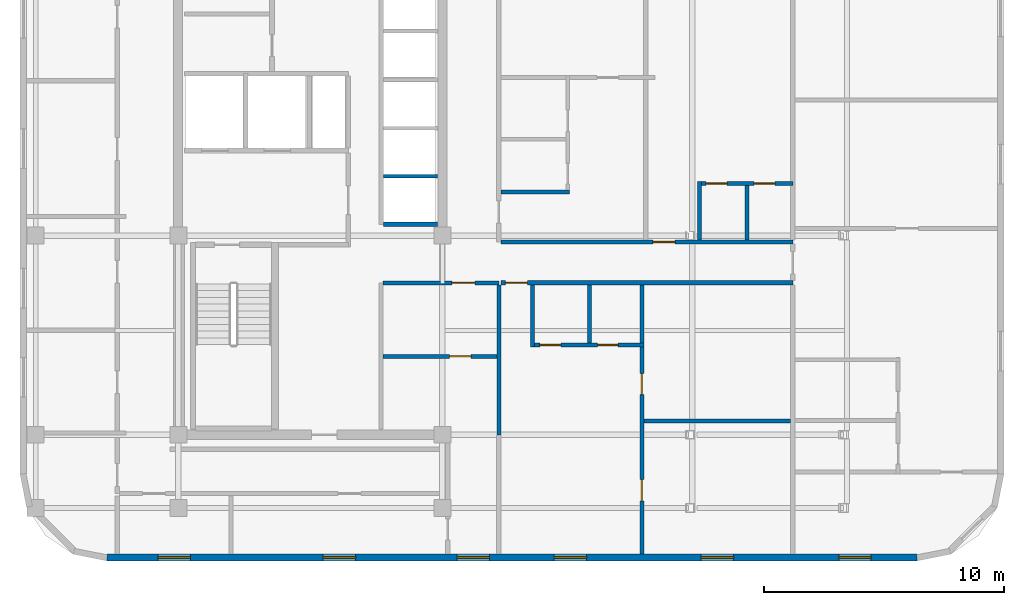
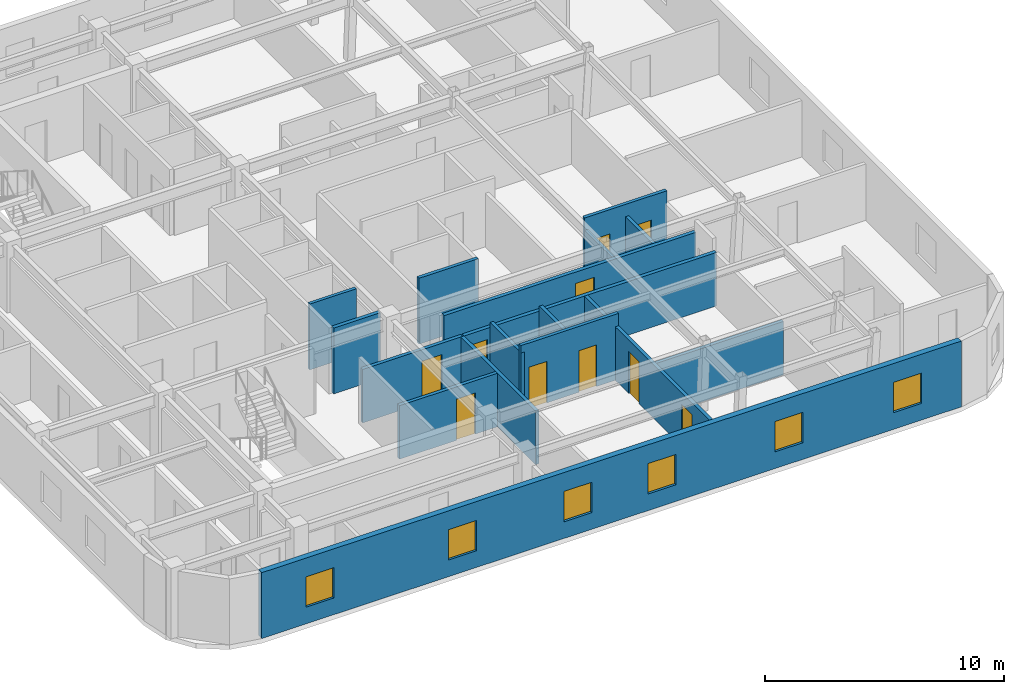
# One storey, part 3 of 8: 17 walls, 10 doors, 6 windows, 16 openings.
"""IFC4 building model written with IfcOpenShell, lengths in metres."""

from ifc_helpers import new_model, si_unit, direction, frame, frame_2d, origin, place, context, subcontext, project, spatial, rectangle, extrude, material, layer, layer_set, type_object, element, fill, save


model = new_model("IFC4")

# Units and contexts
model_context = context("Model", 3, precision=1e-05, world=origin(), true_north=direction((0.0, 1.0)))
body_context = subcontext(model_context, "Body", "Model", "MODEL_VIEW")
ifc_project = project(units=[si_unit("LENGTHUNIT", "METRE"), si_unit("AREAUNIT", "SQUARE_METRE"), si_unit("VOLUMEUNIT", "CUBIC_METRE"), si_unit("PLANEANGLEUNIT", "RADIAN"), si_unit("MASSUNIT", "GRAM", prefix="KILO")], contexts=[model_context])

# Site, building, storey
site_placement = place(None, origin())
site = spatial("IfcSite", under=ifc_project, at=site_placement, CompositionType="ELEMENT")
building_placement = place(site_placement, origin())
building = spatial("IfcBuilding", under=site, at=building_placement, Name="Ochreholt Gables", CompositionType="ELEMENT")
storey_placement = place(building_placement, frame((0.0, 0.0, 159.0)))
storey = spatial("IfcBuildingStorey", under=building, at=storey_placement, Name="L41", CompositionType="ELEMENT", Elevation=159.0)

# Wall, openings, windows
ifc_material_1 = material(Name="Precast concrete 40 MPa", Category="concrete")
ifc_layer_1 = layer(ifc_material_1, 0.280029296875, Name="Precast concrete 40 MPa")
ifc_layer_set_1 = layer_set([ifc_layer_1], Name="Precast concrete 40 MPa")
wall_type_1 = type_object("IfcWallType", Name="WALL-EXT-280", PredefinedType="SOLIDWALL", material=ifc_layer_set_1)
wall_1_placement = place(storey_placement, frame((21.219970703125, 4.139892578125, 0.0), z_axis=(0.0, 0.0, 1.0), x_axis=(1.0, 0.0, 0.0)))
wall_1 = element("IfcWall", 1, at=wall_1_placement, inside=storey, type_object=wall_type_1, Name="L41 South Exterior Wall", PredefinedType="SOLIDWALL", context=body_context, shape_type="SweptSolid", body=[
    extrude(rectangle(XDim=33.760009765625, YDim=0.280029296875, at=frame_2d((16.8798828125, 0.0))), origin(), (0.0, 0.0, 1.0), 3.360107421875),
])
opening_1_placement = place(wall_1_placement, frame((2.1298828125, 0.0, 0.85009765625)))
opening_1 = element("IfcOpeningElement", 2, at=opening_1_placement, cuts=wall_1, Name="Opening WN-8", PredefinedType="OPENING", context=body_context, shape_type="SweptSolid", body=[
    extrude(rectangle(XDim=1.35009765625, YDim=1.550048828125, at=frame_2d((0.675048828125, 0.77490234375))), frame((0.0, 0.14990234375, 0.0), z_axis=(0.0, -1.0, 0.0), x_axis=(1.0, 0.0, 0.0)), (0.0, 0.0, 1.0), 0.300048828125),
])
opening_2_placement = place(wall_1_placement, frame((9.014892578125, 0.0, 0.85009765625)))
opening_2 = element("IfcOpeningElement", 3, at=opening_2_placement, cuts=wall_1, Name="Opening WN-8", PredefinedType="OPENING", context=body_context, shape_type="SweptSolid", body=[
    extrude(rectangle(XDim=1.35009765625, YDim=1.550048828125, at=frame_2d((0.675048828125, 0.77490234375))), frame((0.0, 0.14990234375, 0.0), z_axis=(0.0, -1.0, 0.0), x_axis=(1.0, 0.0, 0.0)), (0.0, 0.0, 1.0), 0.300048828125),
])
opening_3_placement = place(wall_1_placement, frame((14.590087890625, 0.0, 0.85009765625)))
opening_3 = element("IfcOpeningElement", 4, at=opening_3_placement, cuts=wall_1, Name="Opening WN-8", PredefinedType="OPENING", context=body_context, shape_type="SweptSolid", body=[
    extrude(rectangle(XDim=1.35009765625, YDim=1.550048828125, at=frame_2d((0.675048828125, 0.77490234375))), frame((0.0, 0.14990234375, 0.0), z_axis=(0.0, -1.0, 0.0), x_axis=(1.0, 0.0, 0.0)), (0.0, 0.0, 1.0), 0.300048828125),
])
opening_4_placement = place(wall_1_placement, frame((18.635009765625, 0.0, 0.85009765625)))
opening_4 = element("IfcOpeningElement", 5, at=opening_4_placement, cuts=wall_1, Name="Opening WN-8", PredefinedType="OPENING", context=body_context, shape_type="SweptSolid", body=[
    extrude(rectangle(XDim=1.35009765625, YDim=1.550048828125, at=frame_2d((0.675048828125, 0.77490234375))), frame((0.0, 0.14990234375, 0.0), z_axis=(0.0, -1.0, 0.0), x_axis=(1.0, 0.0, 0.0)), (0.0, 0.0, 1.0), 0.300048828125),
])
opening_5_placement = place(wall_1_placement, frame((24.760009765625, 0.0, 0.85009765625)))
opening_5 = element("IfcOpeningElement", 6, at=opening_5_placement, cuts=wall_1, Name="Opening WN-8", PredefinedType="OPENING", context=body_context, shape_type="SweptSolid", body=[
    extrude(rectangle(XDim=1.35009765625, YDim=1.550048828125, at=frame_2d((0.675048828125, 0.77490234375))), frame((0.0, 0.14990234375, 0.0), z_axis=(0.0, -1.0, 0.0), x_axis=(1.0, 0.0, 0.0)), (0.0, 0.0, 1.0), 0.300048828125),
])
opening_6_placement = place(wall_1_placement, frame((30.4951171875, 0.0, 0.85009765625)))
opening_6 = element("IfcOpeningElement", 7, at=opening_6_placement, cuts=wall_1, Name="Opening WN-8", PredefinedType="OPENING", context=body_context, shape_type="SweptSolid", body=[
    extrude(rectangle(XDim=1.35009765625, YDim=1.550048828125, at=frame_2d((0.675048828125, 0.77490234375))), frame((0.0, 0.14990234375, 0.0), z_axis=(0.0, -1.0, 0.0), x_axis=(1.0, 0.0, 0.0)), (0.0, 0.0, 1.0), 0.300048828125),
])
ifc_material_2 = material(Name="Triple-Glazed Thermally Broken Aluminium Window", Category="aluminium")
window_type = type_object("IfcWindowType", Name="WIN-RES-1350", PartitioningType="SINGLE_PANEL", PredefinedType="WINDOW", material=ifc_material_2)
window_1_placement = place(opening_1_placement, origin())
window_1 = element("IfcWindow", 8, at=window_1_placement, inside=storey, type_object=window_type, Name="L41 Window W-EXT-S-L41-1", OverallHeight=1.550048828125, OverallWidth=1.35009765625, PartitioningType="SINGLE_PANEL", PredefinedType="WINDOW", context=body_context, shape_type="SweptSolid", body=[
    extrude(rectangle(XDim=1.35009765625, YDim=1.550048828125, at=frame_2d((0.675048828125, 0.77490234375))), frame((0.0, 0.030029296875, 0.0), z_axis=(0.0, -1.0, 0.0), x_axis=(1.0, 0.0, 0.0)), (0.0, 0.0, 1.0), 0.06005859375),
])
fill(opening_1, window_1)
window_2_placement = place(opening_2_placement, origin())
window_2 = element("IfcWindow", 9, at=window_2_placement, inside=storey, type_object=window_type, Name="L41 Window W-EXT-S-L41-2", OverallHeight=1.550048828125, OverallWidth=1.35009765625, PartitioningType="SINGLE_PANEL", PredefinedType="WINDOW", context=body_context, shape_type="SweptSolid", body=[
    extrude(rectangle(XDim=1.35009765625, YDim=1.550048828125, at=frame_2d((0.675048828125, 0.77490234375))), frame((0.0, 0.030029296875, 0.0), z_axis=(0.0, -1.0, 0.0), x_axis=(1.0, 0.0, 0.0)), (0.0, 0.0, 1.0), 0.06005859375),
])
fill(opening_2, window_2)
window_3_placement = place(opening_3_placement, origin())
window_3 = element("IfcWindow", 10, at=window_3_placement, inside=storey, type_object=window_type, Name="L41 Window W-EXT-S-L41-3", OverallHeight=1.550048828125, OverallWidth=1.35009765625, PartitioningType="SINGLE_PANEL", PredefinedType="WINDOW", context=body_context, shape_type="SweptSolid", body=[
    extrude(rectangle(XDim=1.35009765625, YDim=1.550048828125, at=frame_2d((0.675048828125, 0.77490234375))), frame((0.0, 0.030029296875, 0.0), z_axis=(0.0, -1.0, 0.0), x_axis=(1.0, 0.0, 0.0)), (0.0, 0.0, 1.0), 0.06005859375),
])
fill(opening_3, window_3)
window_4_placement = place(opening_4_placement, origin())
window_4 = element("IfcWindow", 11, at=window_4_placement, inside=storey, type_object=window_type, Name="L41 Window W-EXT-S-L41-4", OverallHeight=1.550048828125, OverallWidth=1.35009765625, PartitioningType="SINGLE_PANEL", PredefinedType="WINDOW", context=body_context, shape_type="SweptSolid", body=[
    extrude(rectangle(XDim=1.35009765625, YDim=1.550048828125, at=frame_2d((0.675048828125, 0.77490234375))), frame((0.0, 0.030029296875, 0.0), z_axis=(0.0, -1.0, 0.0), x_axis=(1.0, 0.0, 0.0)), (0.0, 0.0, 1.0), 0.06005859375),
])
fill(opening_4, window_4)
window_5_placement = place(opening_5_placement, origin())
window_5 = element("IfcWindow", 12, at=window_5_placement, inside=storey, type_object=window_type, Name="L41 Window W-EXT-S-L41-5", OverallHeight=1.550048828125, OverallWidth=1.35009765625, PartitioningType="SINGLE_PANEL", PredefinedType="WINDOW", context=body_context, shape_type="SweptSolid", body=[
    extrude(rectangle(XDim=1.35009765625, YDim=1.550048828125, at=frame_2d((0.675048828125, 0.77490234375))), frame((0.0, 0.030029296875, 0.0), z_axis=(0.0, -1.0, 0.0), x_axis=(1.0, 0.0, 0.0)), (0.0, 0.0, 1.0), 0.06005859375),
])
fill(opening_5, window_5)
window_6_placement = place(opening_6_placement, origin())
window_6 = element("IfcWindow", 13, at=window_6_placement, inside=storey, type_object=window_type, Name="L41 Window W-EXT-S-L41-6", OverallHeight=1.550048828125, OverallWidth=1.35009765625, PartitioningType="SINGLE_PANEL", PredefinedType="WINDOW", context=body_context, shape_type="SweptSolid", body=[
    extrude(rectangle(XDim=1.35009765625, YDim=1.550048828125, at=frame_2d((0.675048828125, 0.77490234375))), frame((0.0, 0.030029296875, 0.0), z_axis=(0.0, -1.0, 0.0), x_axis=(1.0, 0.0, 0.0)), (0.0, 0.0, 1.0), 0.06005859375),
])
fill(opening_6, window_6)

# Wall, opening, door
ifc_material_3 = material(Name="Fire-Rated Gypsum Acoustic Partition", Category="gypsum")
ifc_layer_2 = layer(ifc_material_3, 0.179931640625, Name="Fire-Rated Gypsum Acoustic Partition")
ifc_layer_set_2 = layer_set([ifc_layer_2], Name="Fire-Rated Gypsum Acoustic Partition")
wall_type_2 = type_object("IfcWallType", Name="WALL-INT-CR180", PredefinedType="STANDARD", material=ifc_layer_set_2)
wall_2_placement = place(storey_placement, frame((37.632568359375, 15.580078125, 0.0), z_axis=(0.0, 0.0, 1.0), x_axis=(1.0, 0.0, 0.0)))
wall_2 = element("IfcWall", 14, at=wall_2_placement, inside=storey, type_object=wall_type_2, Name="L41 Interior Wall WI-C2SS1-L41", PredefinedType="STANDARD", context=body_context, shape_type="SweptSolid", body=[
    extrude(rectangle(XDim=12.16748046875, YDim=0.179931640625, at=frame_2d((6.083740234375, 0.0))), origin(), (0.0, 0.0, 1.0), 2.72998046875),
])
opening_7_placement = place(wall_2_placement, frame((0.1875, 0.0, 0.0)))
opening_7 = element("IfcOpeningElement", 15, at=opening_7_placement, cuts=wall_2, Name="Opening D-UN1", PredefinedType="OPENING", context=body_context, shape_type="SweptSolid", body=[
    extrude(rectangle(XDim=0.919921875, YDim=2.14990234375, at=frame_2d((0.4599609375, 1.074951171875))), frame((0.0, 0.099853515625, 0.0), z_axis=(0.0, -1.0, 0.0), x_axis=(1.0, 0.0, 0.0)), (0.0, 0.0, 1.0), 0.199951171875),
])
ifc_material_4 = material(Name="Engineered Oak Timber", Category="wood")
door_type_1 = type_object("IfcDoorType", Name="DR-INT-UNT920", OperationType="NOTDEFINED", PredefinedType="DOOR", material=ifc_material_4)
door_1_placement = place(opening_7_placement, origin())
door_1 = element("IfcDoor", 16, at=door_1_placement, inside=storey, type_object=door_type_1, Name="L41 Door D-U-L41S1-ENT", OperationType="SINGLE_SWING_RIGHT", OverallHeight=2.14990234375, OverallWidth=0.919921875, PredefinedType="DOOR", context=body_context, shape_type="SweptSolid", body=[
    extrude(rectangle(XDim=0.919921875, YDim=2.14990234375, at=frame_2d((0.4599609375, 1.074951171875))), frame((0.0, 0.02490234375, 0.0), z_axis=(0.0, -1.0, 0.0), x_axis=(1.0, 0.0, 0.0)), (0.0, 0.0, 1.0), 0.050048828125),
])
fill(opening_7, door_1)

wall_3_placement = place(storey_placement, frame((37.639892578125, 17.280029296875, 0.0), z_axis=(0.0, 0.0, 1.0), x_axis=(1.0, 0.0, 0.0)))
wall_3 = element("IfcWall", 17, at=wall_3_placement, inside=storey, type_object=wall_type_2, Name="L41 Interior Wall WI-C2SS2-L41", PredefinedType="STANDARD", context=body_context, shape_type="SweptSolid", body=[
    extrude(rectangle(XDim=12.16015625, YDim=0.179931640625, at=frame_2d((6.080078125, 0.0))), origin(), (0.0, 0.0, 1.0), 2.72998046875),
])
opening_8_placement = place(wall_3_placement, frame((6.3349609375, 0.0, 0.0)))
opening_8 = element("IfcOpeningElement", 18, at=opening_8_placement, cuts=wall_3, Name="Opening D-UN1", PredefinedType="OPENING", context=body_context, shape_type="SweptSolid", body=[
    extrude(rectangle(XDim=0.919921875, YDim=2.14990234375, at=frame_2d((0.4599609375, 1.074951171875))), frame((0.0, 0.099853515625, 0.0), z_axis=(0.0, -1.0, 0.0), x_axis=(1.0, 0.0, 0.0)), (0.0, 0.0, 1.0), 0.199951171875),
])
door_2_placement = place(opening_8_placement, origin())
door_2 = element("IfcDoor", 19, at=door_2_placement, inside=storey, type_object=door_type_1, Name="L41 Door D-U-L41M2-ENT", OperationType="SINGLE_SWING_RIGHT", OverallHeight=2.14990234375, OverallWidth=0.919921875, PredefinedType="DOOR", context=body_context, shape_type="SweptSolid", body=[
    extrude(rectangle(XDim=0.919921875, YDim=2.14990234375, at=frame_2d((0.4599609375, 1.074951171875))), frame((0.0, 0.02490234375, 0.0), z_axis=(0.0, -1.0, 0.0), x_axis=(1.0, 0.0, 0.0)), (0.0, 0.0, 1.0), 0.050048828125),
])
fill(opening_8, door_2)

# Wall, openings, doors
ifc_material_5 = material(Name="Moisture-Resistant Plumbing Chase Wall", Category="gypsum")
ifc_layer_3 = layer(ifc_material_5, 0.159912109375, Name="Moisture-Resistant Plumbing Chase Wall")
ifc_layer_set_3 = layer_set([ifc_layer_3], Name="Moisture-Resistant Plumbing Chase Wall")
wall_type_3 = type_object("IfcWallType", Name="WALL-INT-PL160", PredefinedType="PLUMBINGWALL", material=ifc_layer_set_3)
wall_4_placement = place(storey_placement, frame((38.8798828125, 12.992431640625, 0.0), z_axis=(0.0, 0.0, 1.0), x_axis=(1.0, 0.0, 0.0)))
wall_4 = element("IfcWall", 20, at=wall_4_placement, inside=storey, type_object=wall_type_3, Name="L41 Interior Wall WU-L41S1-WY", PredefinedType="PLUMBINGWALL", context=body_context, shape_type="SweptSolid", body=[
    extrude(rectangle(XDim=4.710205078125, YDim=0.159912109375, at=frame_2d((2.35498046875, 0.0))), origin(), (0.0, 0.0, 1.0), 3.360107421875),
])
opening_9_placement = place(wall_4_placement, frame((0.3798828125, 0.0, 0.0)))
opening_9 = element("IfcOpeningElement", 21, at=opening_9_placement, cuts=wall_4, Name="Opening D-GN2", PredefinedType="OPENING", context=body_context, shape_type="SweptSolid", body=[
    extrude(rectangle(XDim=0.8798828125, YDim=2.1201171875, at=frame_2d((0.43994140625, 1.06005859375))), frame((0.0, 0.08984375, 0.0), z_axis=(0.0, -1.0, 0.0), x_axis=(1.0, 0.0, 0.0)), (0.0, 0.0, 1.0), 0.179931640625),
])
opening_10_placement = place(wall_4_placement, frame((2.785888671875, 0.0, 0.0)))
opening_10 = element("IfcOpeningElement", 22, at=opening_10_placement, cuts=wall_4, Name="Opening D-BT1", PredefinedType="OPENING", context=body_context, shape_type="SweptSolid", body=[
    extrude(rectangle(XDim=0.860107421875, YDim=2.1201171875, at=frame_2d((0.43017578125, 1.06005859375))), frame((0.0, 0.08984375, 0.0), z_axis=(0.0, -1.0, 0.0), x_axis=(1.0, 0.0, 0.0)), (0.0, 0.0, 1.0), 0.179931640625),
])
door_type_2 = type_object("IfcDoorType", Name="DR-INT-BTH860", OperationType="NOTDEFINED", PredefinedType="DOOR", material=ifc_material_4)
door_3_placement = place(opening_10_placement, origin())
door_3 = element("IfcDoor", 23, at=door_3_placement, inside=storey, type_object=door_type_2, Name="L41 Door D-U-L41S1-BTH", OperationType="SINGLE_SWING_RIGHT", OverallHeight=2.1201171875, OverallWidth=0.860107421875, PredefinedType="DOOR", context=body_context, shape_type="SweptSolid", body=[
    extrude(rectangle(XDim=0.860107421875, YDim=2.1201171875, at=frame_2d((0.43017578125, 1.06005859375))), frame((0.0, 0.02490234375, 0.0), z_axis=(0.0, -1.0, 0.0), x_axis=(1.0, 0.0, 0.0)), (0.0, 0.0, 1.0), 0.050048828125),
])
fill(opening_10, door_3)
door_type_3 = type_object("IfcDoorType", Name="DR-INT-GEN880", OperationType="NOTDEFINED", PredefinedType="DOOR", material=ifc_material_4)
door_4_placement = place(opening_9_placement, origin())
door_4 = element("IfcDoor", 24, at=door_4_placement, inside=storey, type_object=door_type_3, Name="L41 Door D-U-L41S1-KIT", OperationType="SINGLE_SWING_LEFT", OverallHeight=2.1201171875, OverallWidth=0.8798828125, PredefinedType="DOOR", context=body_context, shape_type="SweptSolid", body=[
    extrude(rectangle(XDim=0.8798828125, YDim=2.1201171875, at=frame_2d((0.43994140625, 1.06005859375))), frame((0.0, 0.02490234375, 0.0), z_axis=(0.0, -1.0, 0.0), x_axis=(1.0, 0.0, 0.0)), (0.0, 0.0, 1.0), 0.050048828125),
])
fill(opening_9, door_4)

# Walls
wall_5_placement = place(storey_placement, frame((38.9599609375, 12.91259765625, 0.0), z_axis=(0.0, 0.0, 1.0), x_axis=(0.0, 1.0, 0.0)))
element("IfcWall", 25, at=wall_5_placement, inside=storey, type_object=wall_type_3, Name="L41 Interior Wall WU-L41S1-FY", PredefinedType="PLUMBINGWALL", context=body_context, shape_type="SweptSolid", body=[
    extrude(rectangle(XDim=2.577392578125, YDim=0.159912109375, at=frame_2d((1.28857421875, 0.0))), origin(), (0.0, 0.0, 1.0), 2.98388671875),
])
wall_6_placement = place(storey_placement, frame((41.325927734375, 13.072509765625, 0.0), z_axis=(0.0, 0.0, 1.0), x_axis=(0.0, 1.0, 0.0)))
element("IfcWall", 26, at=wall_6_placement, inside=storey, type_object=wall_type_3, Name="L41 Interior Wall WU-L41S1-WK", PredefinedType="PLUMBINGWALL", context=body_context, shape_type="SweptSolid", body=[
    extrude(rectangle(XDim=2.41748046875, YDim=0.159912109375, at=frame_2d((1.208740234375, 0.0))), origin(), (0.0, 0.0, 1.0), 2.98388671875),
])
wall_7_placement = place(storey_placement, frame((37.639892578125, 19.373046875, 0.0), z_axis=(0.0, 0.0, 1.0), x_axis=(1.0, 0.0, 0.0)))
element("IfcWall", 27, at=wall_7_placement, inside=storey, type_object=wall_type_3, Name="L41 Interior Wall WU-L41M1-FYS", PredefinedType="PLUMBINGWALL", context=body_context, shape_type="SweptSolid", body=[
    extrude(rectangle(XDim=2.864013671875, YDim=0.159912109375, at=frame_2d((1.43212890625, 0.0))), origin(), (0.0, 0.0, 1.0), 3.360107421875),
])

# Wall, openings, doors
wall_8_placement = place(storey_placement, frame((45.8349609375, 19.719970703125, 0.0), z_axis=(0.0, 0.0, 1.0), x_axis=(1.0, 0.0, 0.0)))
wall_8 = element("IfcWall", 28, at=wall_8_placement, inside=storey, type_object=wall_type_3, Name="L41 Interior Wall WU-L41M2-WY", PredefinedType="PLUMBINGWALL", context=body_context, shape_type="SweptSolid", body=[
    extrude(rectangle(XDim=3.965087890625, YDim=0.159912109375, at=frame_2d((1.982421875, 0.0))), origin(), (0.0, 0.0, 1.0), 3.360107421875),
])
opening_11_placement = place(wall_8_placement, frame((0.35009765625, 0.0, 0.0)))
opening_11 = element("IfcOpeningElement", 29, at=opening_11_placement, cuts=wall_8, Name="Opening D-GN2", PredefinedType="OPENING", context=body_context, shape_type="SweptSolid", body=[
    extrude(rectangle(XDim=0.8798828125, YDim=2.1201171875, at=frame_2d((0.43994140625, 1.06005859375))), frame((0.0, 0.08984375, 0.0), z_axis=(0.0, -1.0, 0.0), x_axis=(1.0, 0.0, 0.0)), (0.0, 0.0, 1.0), 0.179931640625),
])
opening_12_placement = place(wall_8_placement, frame((2.353515625, 0.0, 0.0)))
opening_12 = element("IfcOpeningElement", 30, at=opening_12_placement, cuts=wall_8, Name="Opening D-BT1", PredefinedType="OPENING", context=body_context, shape_type="SweptSolid", body=[
    extrude(rectangle(XDim=0.860107421875, YDim=2.1201171875, at=frame_2d((0.43017578125, 1.06005859375))), frame((0.0, 0.08984375, 0.0), z_axis=(0.0, -1.0, 0.0), x_axis=(1.0, 0.0, 0.0)), (0.0, 0.0, 1.0), 0.179931640625),
])
door_5_placement = place(opening_12_placement, origin())
door_5 = element("IfcDoor", 31, at=door_5_placement, inside=storey, type_object=door_type_2, Name="L41 Door D-U-L41M2-BTH", OperationType="SINGLE_SWING_RIGHT", OverallHeight=2.1201171875, OverallWidth=0.860107421875, PredefinedType="DOOR", context=body_context, shape_type="SweptSolid", body=[
    extrude(rectangle(XDim=0.860107421875, YDim=2.1201171875, at=frame_2d((0.43017578125, 1.06005859375))), frame((0.0, 0.02490234375, 0.0), z_axis=(0.0, -1.0, 0.0), x_axis=(1.0, 0.0, 0.0)), (0.0, 0.0, 1.0), 0.050048828125),
])
fill(opening_12, door_5)
door_6_placement = place(opening_11_placement, origin())
door_6 = element("IfcDoor", 32, at=door_6_placement, inside=storey, type_object=door_type_3, Name="L41 Door D-U-L41M2-KIT", OperationType="SINGLE_SWING_LEFT", OverallHeight=2.1201171875, OverallWidth=0.8798828125, PredefinedType="DOOR", context=body_context, shape_type="SweptSolid", body=[
    extrude(rectangle(XDim=0.8798828125, YDim=2.1201171875, at=frame_2d((0.43994140625, 1.06005859375))), frame((0.0, 0.02490234375, 0.0), z_axis=(0.0, -1.0, 0.0), x_axis=(1.0, 0.0, 0.0)), (0.0, 0.0, 1.0), 0.050048828125),
])
fill(opening_11, door_6)

# Walls
wall_9_placement = place(storey_placement, frame((45.9150390625, 17.3701171875, 0.0), z_axis=(0.0, 0.0, 1.0), x_axis=(0.0, 1.0, 0.0)))
element("IfcWall", 33, at=wall_9_placement, inside=storey, type_object=wall_type_3, Name="L41 Interior Wall WU-L41M2-FY", PredefinedType="PLUMBINGWALL", context=body_context, shape_type="SweptSolid", body=[
    extrude(rectangle(XDim=2.429931640625, YDim=0.159912109375, at=frame_2d((1.21484375, 0.0))), origin(), (0.0, 0.0, 1.0), 2.72998046875),
])
wall_10_placement = place(storey_placement, frame((47.888427734375, 17.3701171875, 0.0), z_axis=(0.0, 0.0, 1.0), x_axis=(0.0, 1.0, 0.0)))
element("IfcWall", 34, at=wall_10_placement, inside=storey, type_object=wall_type_3, Name="L41 Interior Wall WU-L41M2-WK", PredefinedType="PLUMBINGWALL", context=body_context, shape_type="SweptSolid", body=[
    extrude(rectangle(XDim=2.269775390625, YDim=0.159912109375, at=frame_2d((1.134765625, 0.0))), origin(), (0.0, 0.0, 1.0), 2.72998046875),
])

# Wall, opening, door
ifc_material_6 = material(Name="Gypsum Acoustic Stud Partition", Category="gypsum")
ifc_layer_4 = layer(ifc_material_6, 0.1650390625, Name="Gypsum Acoustic Stud Partition")
ifc_layer_set_4 = layer_set([ifc_layer_4], Name="Gypsum Acoustic Stud Partition")
wall_type_4 = type_object("IfcWallType", Name="WALL-INT-PT165", PredefinedType="PARTITIONING", material=ifc_layer_set_4)
wall_11_placement = place(storey_placement, frame((32.732421875, 15.580078125, 0.0), z_axis=(0.0, 0.0, 1.0), x_axis=(1.0, 0.0, 0.0)))
wall_11 = element("IfcWall", 35, at=wall_11_placement, inside=storey, type_object=wall_type_4, Name="L41 Interior Wall WI-RCL-N-L41", PredefinedType="PARTITIONING", context=body_context, shape_type="SweptSolid", body=[
    extrude(rectangle(XDim=4.817626953125, YDim=0.1650390625, at=frame_2d((2.40869140625, 0.0))), origin(), (0.0, 0.0, 1.0), 2.72998046875),
])
opening_13_placement = place(wall_11_placement, frame((2.867431640625, 0.0, 0.0)))
opening_13 = element("IfcOpeningElement", 36, at=opening_13_placement, cuts=wall_11, Name="Opening D-GN1", PredefinedType="OPENING", context=body_context, shape_type="SweptSolid", body=[
    extrude(rectangle(XDim=0.949951171875, YDim=2.14990234375, at=frame_2d((0.47509765625, 1.074951171875))), frame((0.0, 0.092529296875, 0.0), z_axis=(0.0, -1.0, 0.0), x_axis=(1.0, 0.0, 0.0)), (0.0, 0.0, 1.0), 0.18505859375),
])
door_type_4 = type_object("IfcDoorType", Name="DR-INT-GEN950", OperationType="NOTDEFINED", PredefinedType="DOOR", material=ifc_material_4)
door_7_placement = place(opening_13_placement, origin())
door_7 = element("IfcDoor", 37, at=door_7_placement, inside=storey, type_object=door_type_4, Name="L41 Door D-RCL-L41", OperationType="SINGLE_SWING_LEFT", OverallHeight=2.14990234375, OverallWidth=0.949951171875, PredefinedType="DOOR", context=body_context, shape_type="SweptSolid", body=[
    extrude(rectangle(XDim=0.949951171875, YDim=2.14990234375, at=frame_2d((0.47509765625, 1.074951171875))), frame((0.0, 0.02490234375, 0.0), z_axis=(0.0, -1.0, 0.0), x_axis=(1.0, 0.0, 0.0)), (0.0, 0.0, 1.0), 0.050048828125),
])
fill(opening_13, door_7)

# Wall
wall_12_placement = place(storey_placement, frame((37.550048828125, 9.25, 0.0), z_axis=(0.0, 0.0, 1.0), x_axis=(0.0, 1.0, 0.0)))
element("IfcWall", 38, at=wall_12_placement, inside=storey, type_object=wall_type_4, Name="L41 Interior Wall WI-RCL-E-L41", PredefinedType="PARTITIONING", context=body_context, shape_type="SweptSolid", body=[
    extrude(rectangle(XDim=6.24755859375, YDim=0.1650390625, at=frame_2d((3.123779296875, 0.0))), origin(), (0.0, 0.0, 1.0), 2.72998046875),
])

# Wall, opening, door
wall_13_placement = place(storey_placement, frame((32.732421875, 12.52001953125, 0.0), z_axis=(0.0, 0.0, 1.0), x_axis=(1.0, 0.0, 0.0)))
wall_13 = element("IfcWall", 39, at=wall_13_placement, inside=storey, type_object=wall_type_4, Name="L41 Interior Wall WI-RCL-DV-L41", PredefinedType="PARTITIONING", context=body_context, shape_type="SweptSolid", body=[
    extrude(rectangle(XDim=4.735107421875, YDim=0.1650390625, at=frame_2d((2.36767578125, 0.0))), origin(), (0.0, 0.0, 1.0), 2.72998046875),
])
opening_14_placement = place(wall_13_placement, frame((2.767578125, 0.0, 0.0)))
opening_14 = element("IfcOpeningElement", 40, at=opening_14_placement, cuts=wall_13, Name="Opening D-SV1", PredefinedType="OPENING", context=body_context, shape_type="SweptSolid", body=[
    extrude(rectangle(XDim=0.89990234375, YDim=2.10009765625, at=frame_2d((0.449951171875, 1.050048828125))), frame((0.0, 0.092529296875, 0.0), z_axis=(0.0, -1.0, 0.0), x_axis=(1.0, 0.0, 0.0)), (0.0, 0.0, 1.0), 0.18505859375),
])
ifc_material_7 = material(Name="Hollow Metal Steel", Category="steel")
door_type_5 = type_object("IfcDoorType", Name="DR-INT-SRV900", OperationType="NOTDEFINED", PredefinedType="DOOR", material=ifc_material_7)
door_8_placement = place(opening_14_placement, origin())
door_8 = element("IfcDoor", 41, at=door_8_placement, inside=storey, type_object=door_type_5, Name="L41 Door D-RCLI-L41", OperationType="SINGLE_SWING_RIGHT", OverallHeight=2.10009765625, OverallWidth=0.89990234375, PredefinedType="DOOR", context=body_context, shape_type="SweptSolid", body=[
    extrude(rectangle(XDim=0.89990234375, YDim=2.10009765625, at=frame_2d((0.449951171875, 1.050048828125))), frame((0.0, 0.02490234375, 0.0), z_axis=(0.0, -1.0, 0.0), x_axis=(1.0, 0.0, 0.0)), (0.0, 0.0, 1.0), 0.050048828125),
])
fill(opening_14, door_8)

# Wall, openings, doors
wall_14_placement = place(storey_placement, frame((43.510009765625, 4.280029296875, 0.0), z_axis=(0.0, 0.0, 1.0), x_axis=(0.0, 1.0, 0.0)))
wall_14 = element("IfcWall", 42, at=wall_14_placement, inside=storey, type_object=wall_type_4, Name="L41 Interior Wall WU-L41S1-MNX", PredefinedType="PARTITIONING", context=body_context, shape_type="SweptSolid", body=[
    extrude(rectangle(XDim=11.2099609375, YDim=0.1650390625, at=frame_2d((5.60498046875, 0.0))), origin(), (0.0, 0.0, 1.0), 2.72998046875),
])
opening_15_placement = place(wall_14_placement, frame((2.219970703125, 0.0, 0.0)))
opening_15 = element("IfcOpeningElement", 43, at=opening_15_placement, cuts=wall_14, Name="Opening D-BD2", PredefinedType="OPENING", context=body_context, shape_type="SweptSolid", body=[
    extrude(rectangle(XDim=0.8798828125, YDim=2.139892578125, at=frame_2d((0.43994140625, 1.06982421875))), frame((0.0, 0.092529296875, 0.0), z_axis=(0.0, -1.0, 0.0), x_axis=(1.0, 0.0, 0.0)), (0.0, 0.0, 1.0), 0.18505859375),
])
opening_16_placement = place(wall_14_placement, frame((6.641357421875, 0.0, 0.0)))
opening_16 = element("IfcOpeningElement", 44, at=opening_16_placement, cuts=wall_14, Name="Opening D-BD2", PredefinedType="OPENING", context=body_context, shape_type="SweptSolid", body=[
    extrude(rectangle(XDim=0.8798828125, YDim=2.139892578125, at=frame_2d((0.43994140625, 1.06982421875))), frame((0.0, 0.092529296875, 0.0), z_axis=(0.0, -1.0, 0.0), x_axis=(1.0, 0.0, 0.0)), (0.0, 0.0, 1.0), 0.18505859375),
])
door_type_6 = type_object("IfcDoorType", Name="DR-INT-BED880", OperationType="NOTDEFINED", PredefinedType="DOOR", material=ifc_material_4)
door_9_placement = place(opening_15_placement, origin())
door_9 = element("IfcDoor", 45, at=door_9_placement, inside=storey, type_object=door_type_6, Name="L41 Door D-U-L41S1-BD1", OperationType="SINGLE_SWING_RIGHT", OverallHeight=2.139892578125, OverallWidth=0.8798828125, PredefinedType="DOOR", context=body_context, shape_type="SweptSolid", body=[
    extrude(rectangle(XDim=0.8798828125, YDim=2.139892578125, at=frame_2d((0.43994140625, 1.06982421875))), frame((0.0, 0.02490234375, 0.0), z_axis=(0.0, -1.0, 0.0), x_axis=(1.0, 0.0, 0.0)), (0.0, 0.0, 1.0), 0.050048828125),
])
fill(opening_15, door_9)
door_10_placement = place(opening_16_placement, origin())
door_10 = element("IfcDoor", 46, at=door_10_placement, inside=storey, type_object=door_type_6, Name="L41 Door D-U-L41S1-BD2", OperationType="SINGLE_SWING_LEFT", OverallHeight=2.139892578125, OverallWidth=0.8798828125, PredefinedType="DOOR", context=body_context, shape_type="SweptSolid", body=[
    extrude(rectangle(XDim=0.8798828125, YDim=2.139892578125, at=frame_2d((0.43994140625, 1.06982421875))), frame((0.0, 0.02490234375, 0.0), z_axis=(0.0, -1.0, 0.0), x_axis=(1.0, 0.0, 0.0)), (0.0, 0.0, 1.0), 0.050048828125),
])
fill(opening_16, door_10)

# Walls
wall_15_placement = place(storey_placement, frame((43.590087890625, 9.820068359375, 0.0), z_axis=(0.0, 0.0, 1.0), x_axis=(1.0, 0.0, 0.0)))
element("IfcWall", 47, at=wall_15_placement, inside=storey, type_object=wall_type_4, Name="L41 Interior Wall WU-L41S1-RDV", PredefinedType="PARTITIONING", context=body_context, shape_type="SweptSolid", body=[
    extrude(rectangle(XDim=6.119873046875, YDim=0.1650390625, at=frame_2d((3.06005859375, 0.0))), origin(), (0.0, 0.0, 1.0), 2.72998046875),
])
ifc_material_8 = material(Name="Gypsum Shaftliner and Steel Stud", Category="steel")
ifc_layer_5 = layer(ifc_material_8, 0.14990234375, Name="Gypsum Shaftliner and Steel Stud")
ifc_layer_set_5 = layer_set([ifc_layer_5], Name="Gypsum Shaftliner and Steel Stud")
wall_type_5 = type_object("IfcWallType", Name="WALL-INT-SH150", PredefinedType="STANDARD", material=ifc_layer_set_5)
wall_16_placement = place(storey_placement, frame((32.739990234375, 20.02001953125, 0.0), z_axis=(0.0, 0.0, 1.0), x_axis=(1.0, 0.0, 0.0)))
element("IfcWall", 48, at=wall_16_placement, inside=storey, type_object=wall_type_5, Name="L41 Interior Wall WI-LFHE-DH1-L41", PredefinedType="STANDARD", context=body_context, shape_type="SweptSolid", body=[
    extrude(rectangle(XDim=2.260009765625, YDim=0.14990234375, at=frame_2d((1.1298828125, 0.0))), origin(), (0.0, 0.0, 1.0), 3.360107421875),
])
ifc_layer_6 = layer(ifc_material_8, 0.179931640625, Name="Gypsum Shaftliner and Steel Stud")
ifc_layer_set_6 = layer_set([ifc_layer_6], Name="Gypsum Shaftliner and Steel Stud")
wall_type_6 = type_object("IfcWallType", Name="WALL-INT-SH180", PredefinedType="STANDARD", material=ifc_layer_set_6)
wall_17_placement = place(storey_placement, frame((32.739990234375, 18.02001953125, 0.0), z_axis=(0.0, 0.0, 1.0), x_axis=(1.0, 0.0, 0.0)))
element("IfcWall", 49, at=wall_17_placement, inside=storey, type_object=wall_type_6, Name="L41 Interior Wall WI-LFHE-S-L41", PredefinedType="STANDARD", context=body_context, shape_type="SweptSolid", body=[
    extrude(rectangle(XDim=2.260009765625, YDim=0.179931640625, at=frame_2d((1.1298828125, 0.0))), origin(), (0.0, 0.0, 1.0), 3.360107421875),
])

save(model, "model.ifc")
